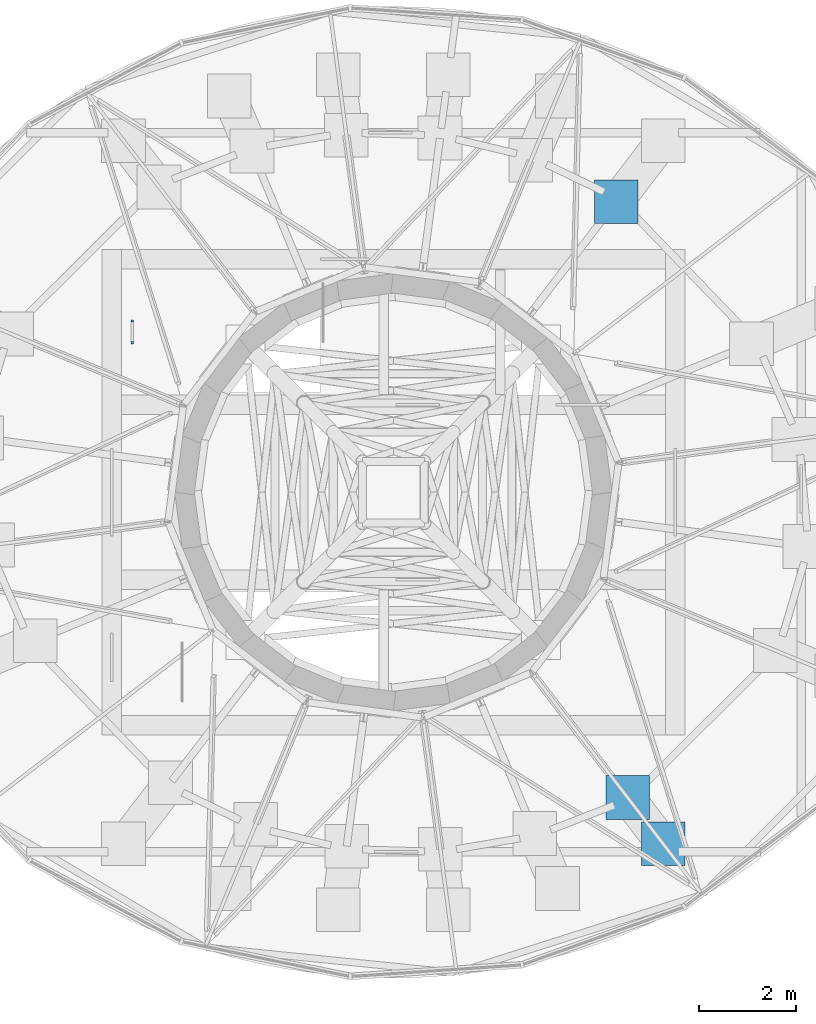
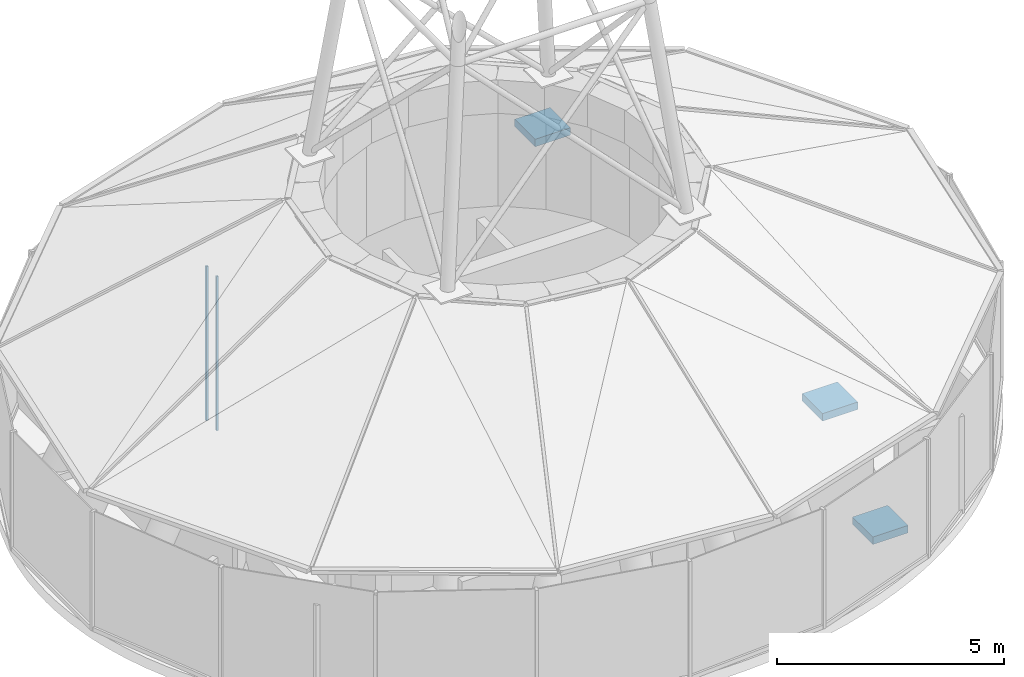
# One storey, part 8 of 10: 5 discrete accessories.
"""IFC4 building model written with IfcOpenShell, lengths in metres."""

from ifc_helpers import new_model, si_unit, direction, frame, origin, origin_2d, place, context, subcontext, project, spatial, rectangle, extrude, source, transform, mapped, material, layer, layer_set, material_profile, profile_set, type_object, element, save


model = new_model("IFC4")

# Units and contexts
model_context = context("Model", 3, precision=1e-05, world=origin(), true_north=direction((0.0, 1.0)))
body_context = subcontext(model_context, "Body", "Model", "MODEL_VIEW")
ifc_project = project(units=[si_unit("LENGTHUNIT", "METRE"), si_unit("AREAUNIT", "SQUARE_METRE"), si_unit("VOLUMEUNIT", "CUBIC_METRE"), si_unit("PLANEANGLEUNIT", "RADIAN"), si_unit("MASSUNIT", "GRAM", prefix="KILO")], contexts=[model_context])

# Site, building, storey
site_placement = place(None, origin())
site = spatial("IfcSite", under=ifc_project, at=site_placement, CompositionType="ELEMENT")
building_placement = place(site_placement, origin())
building = spatial("IfcBuilding", under=site, at=building_placement, Name="Spindrift Exchange Tower", CompositionType="ELEMENT")
storey_placement = place(building_placement, frame((0.0, 0.0, 287.10009765625)))
storey = spatial("IfcBuildingStorey", under=building, at=storey_placement, Name="L71", CompositionType="ELEMENT", Elevation=287.10009765625)

# Discrete accessories
ifc_material_1 = material(Name="Steel Grade 350", Category="steel")
ifc_layer = layer(ifc_material_1, 0.89990234375)
ifc_layer_set = layer_set([ifc_layer], Name="Bearing shoe 900x900x200 Steel Grade 350")
discrete_accessory_type_1 = type_object("IfcDiscreteAccessoryType", Name="Bearing shoe 900x900x200 Steel Grade 350", PredefinedType="USERDEFINED", material=ifc_layer_set)
shared_shape_1 = source(origin(), body_context, "Body", "SweptSolid", [
    extrude(rectangle(XDim=0.89990234375, YDim=0.89990234375, at=origin_2d()), origin(), (0.0, 0.0, 1.0), 0.199951171875),
])
for number, where, z_axis, x_axis, name in (
    (1, (56.58740234375, 53.978515625, 3.15869140625), (0.0, 0.0, 1.0), (1.0, 0.0, 0.0), "L71 bearing shoe 04 head"),
    (2, (57.55517578125, 40.760498046875, 0.1259765625), (0.0, 0.0, 1.0), (1.0, 0.0, 0.0), "L71 bearing shoe 21 foot"),
    (3, (56.823486328125, 41.7138671875, 3.1259765625), (0.0, 0.0, 1.0), (1.0, 0.0, 0.0), "L71 bearing shoe 21 head"),
):
    element("IfcDiscreteAccessory", number, at=place(storey_placement, frame(where, z_axis=z_axis, x_axis=x_axis)), inside=storey, type_object=discrete_accessory_type_1, Name=name, ObjectType="Bearing shoe", PredefinedType="USERDEFINED", context=body_context, shape_type="MappedRepresentation", body=[
        mapped(shared_shape_1, transform((0.0, 0.0, 0.0), scale=1.0)),
    ])
ifc_material_2 = material(Name="Galvanised steel ladder section", Category="steel")
ifc_material_profile = material_profile(ifc_material_2, rectangle(XDim=0.050048828125, YDim=0.050048828125, at=origin_2d()), Name="FIXED ACCESS LADDER 50X50")
ifc_profile_set = profile_set([ifc_material_profile], Name="Galvanised steel ladder section")
discrete_accessory_type_2 = type_object("IfcDiscreteAccessoryType", Name="FIXED ACCESS LADDER 50X50", PredefinedType="NOTDEFINED", material=ifc_profile_set)
shared_shape_2 = source(origin(), body_context, "Body", "SweptSolid", [
    extrude(rectangle(XDim=0.050048828125, YDim=0.050048828125, at=origin_2d()), origin(), (0.0, 0.0, 1.0), 4.150146484375),
])
for number, where, z_axis, x_axis, name in (
    (4, (46.6201171875, 51.074951171875, 0.349853515625), (0.0, 0.0, 1.0), (1.0, 0.0, 0.0), "L71 access ladder stile A"),
    (5, (46.6201171875, 51.52490234375, 0.349853515625), (0.0, 0.0, 1.0), (1.0, 0.0, 0.0), "L71 access ladder stile B"),
):
    element("IfcDiscreteAccessory", number, at=place(storey_placement, frame(where, z_axis=z_axis, x_axis=x_axis)), inside=storey, type_object=discrete_accessory_type_2, Name=name, PredefinedType="NOTDEFINED", context=body_context, shape_type="MappedRepresentation", body=[
        mapped(shared_shape_2, transform((0.0, 0.0, 0.0), scale=1.0)),
    ])

save(model, "model.ifc")
